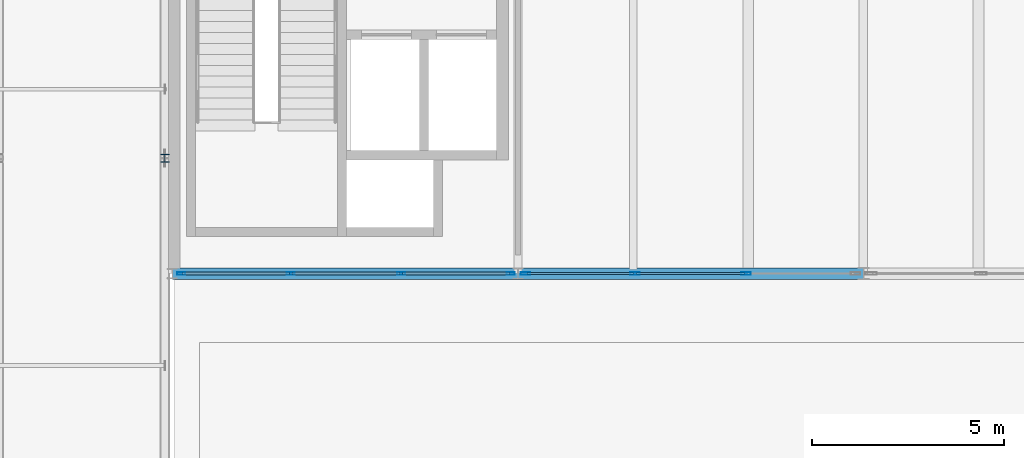
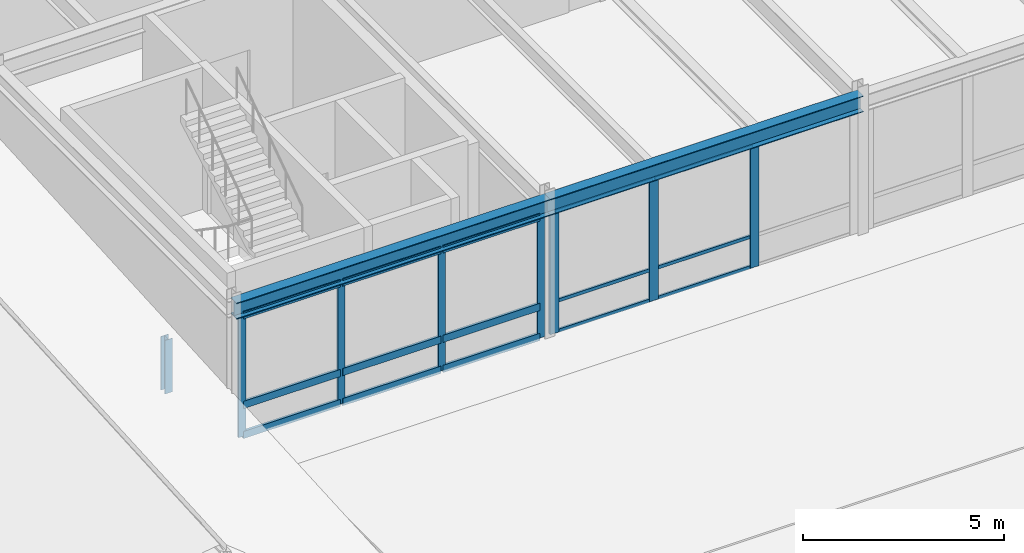
# One storey, part 72 of 142: 23 members, 2 beams, 2 elements without a shape of their own.
"""IFC4 building model written with IfcOpenShell, lengths in metres."""

from ifc_helpers import new_model, si_unit, direction, frame, origin, origin_2d, place, context, subcontext, project, spatial, hollow_rectangle, i_section, extrude, material, layer, layer_set, material_profile, profile_set, type_object, element, aggregate, save


model = new_model("IFC4")

# Units and contexts
model_context = context("Model", 3, precision=1e-05, world=origin(), true_north=direction((0.0, 1.0)))
body_context = subcontext(model_context, "Body", "Model", "MODEL_VIEW")
ifc_project = project(units=[si_unit("LENGTHUNIT", "METRE"), si_unit("AREAUNIT", "SQUARE_METRE"), si_unit("VOLUMEUNIT", "CUBIC_METRE"), si_unit("PLANEANGLEUNIT", "RADIAN"), si_unit("MASSUNIT", "GRAM", prefix="KILO")], contexts=[model_context])

# Site, building, storey
site_placement = place(None, origin())
site = spatial("IfcSite", under=ifc_project, at=site_placement, CompositionType="ELEMENT")
building_placement = place(site_placement, origin())
building = spatial("IfcBuilding", under=site, at=building_placement, Name="Montelvaro Courts of Justice", CompositionType="ELEMENT")
storey_placement = place(building_placement, frame((0.0, 0.0, 14.39990234375)))
storey = spatial("IfcBuildingStorey", under=building, at=storey_placement, Name="L03", CompositionType="ELEMENT", Elevation=14.39990234375)

# Beams
ifc_material_1 = material(Name="Steel S355", Category="steel")
ifc_material_profile_1 = material_profile(ifc_material_1, i_section(OverallWidth=0.300048828125, OverallDepth=0.489990234375, WebThickness=0.011962890625, FlangeThickness=0.02294921875, at=origin_2d()), Name="HEA 500")
ifc_profile_set_1 = profile_set([ifc_material_profile_1], Name="Steel S355")
beam_type = type_object("IfcBeamType", Name="Beam_HEA500", PredefinedType="USERDEFINED", material=ifc_profile_set_1)
for number, where, z_axis, x_axis, name in (
    (1, (99.0, 66.0, 3.955078125), (1.0, 0.0, 0.0), (0.0, 1.0, 0.0), "Beam B-19 L03"),
    (2, (108.0, 66.0, 3.955078125), (1.0, 0.0, 0.0), (0.0, 1.0, 0.0), "Beam B-19 L03"),
):
    element("IfcBeam", number, at=place(storey_placement, frame(where, z_axis=z_axis, x_axis=x_axis)), inside=storey, type_object=beam_type, Name=name, ObjectType="GIRDER", PredefinedType="USERDEFINED", context=body_context, shape_type="SweptSolid", body=[
        extrude(i_section(OverallWidth=0.300048828125, OverallDepth=0.489990234375, WebThickness=0.011962890625, FlangeThickness=0.02294921875, at=origin_2d()), origin(), (0.0, 0.0, 1.0), 9.0),
    ])

# Curtain wall, members
ifc_material_2 = material(Name="Anodised aluminium EN AW-6063", Category="aluminium")
ifc_layer_1 = layer(ifc_material_2, 0.159912109375)
ifc_layer_set_1 = layer_set([ifc_layer_1], Name="Anodised aluminium EN AW-6063")
curtain_wall_type_1 = type_object("IfcCurtainWallType", Name="CurtainWall_14_867x418", PredefinedType="USERDEFINED", material=ifc_layer_set_1)
curtain_wall_1_placement = place(storey_placement, origin())
curtain_wall_1 = element("IfcCurtainWall", 3, at=curtain_wall_1_placement, inside=storey, type_object=curtain_wall_type_1, Name="Curtain Wall CW-14 (L03)", ObjectType="CURTAIN WALL", PredefinedType="USERDEFINED")
ifc_material_profile_2 = material_profile(ifc_material_2, hollow_rectangle(XDim=0.06494140625, YDim=0.2099609375, WallThickness=0.0048828125, at=origin_2d()), Name="ALU-M 65x210")
ifc_profile_set_2 = profile_set([ifc_material_profile_2], Name="Anodised aluminium EN AW-6063")
member_type_1 = type_object("IfcMemberType", Name="CurtainWall_Mullion_65x210", PredefinedType="MULLION", material=ifc_profile_set_2)
member_1_placement = place(storey_placement, frame((99.2275390625, 66.0, 0.0), z_axis=(0.0, 0.0, 1.0), x_axis=(0.0, 1.0, 0.0)))
member_1 = element("IfcMember", 4, at=member_1_placement, type_object=member_type_1, Name="CW-14 mullion 1", PredefinedType="MULLION", context=body_context, shape_type="SweptSolid", body=[
    extrude(hollow_rectangle(XDim=0.06494140625, YDim=0.2099609375, WallThickness=0.0048828125, at=origin_2d()), origin(), (0.0, 0.0, 1.0), 3.705078125),
])
member_2_placement = place(storey_placement, frame((102.078369140625, 66.0, 0.0), z_axis=(0.0, 0.0, 1.0), x_axis=(0.0, 1.0, 0.0)))
member_2 = element("IfcMember", 5, at=member_2_placement, type_object=member_type_1, Name="CW-14 mullion 2", PredefinedType="MULLION", context=body_context, shape_type="SweptSolid", body=[
    extrude(hollow_rectangle(XDim=0.06494140625, YDim=0.2099609375, WallThickness=0.0048828125, at=origin_2d()), origin(), (0.0, 0.0, 1.0), 3.705078125),
])
member_3_placement = place(storey_placement, frame((104.961669921875, 66.0, 0.0), z_axis=(0.0, 0.0, 1.0), x_axis=(0.0, 1.0, 0.0)))
member_3 = element("IfcMember", 6, at=member_3_placement, type_object=member_type_1, Name="CW-14 mullion 3", PredefinedType="MULLION", context=body_context, shape_type="SweptSolid", body=[
    extrude(hollow_rectangle(XDim=0.06494140625, YDim=0.2099609375, WallThickness=0.0048828125, at=origin_2d()), origin(), (0.0, 0.0, 1.0), 3.705078125),
])
member_4_placement = place(storey_placement, frame((107.8125, 66.0, 0.0), z_axis=(0.0, 0.0, 1.0), x_axis=(0.0, 1.0, 0.0)))
member_4 = element("IfcMember", 7, at=member_4_placement, type_object=member_type_1, Name="CW-14 mullion 4", PredefinedType="MULLION", context=body_context, shape_type="SweptSolid", body=[
    extrude(hollow_rectangle(XDim=0.06494140625, YDim=0.2099609375, WallThickness=0.0048828125, at=origin_2d()), origin(), (0.0, 0.0, 1.0), 3.705078125),
])

ifc_layer_2 = layer(ifc_material_2, 0.159912109375)
ifc_layer_set_2 = layer_set([ifc_layer_2], Name="Anodised aluminium EN AW-6063")
curtain_wall_type_2 = type_object("IfcCurtainWallType", Name="CurtainWall_18_868x418", PredefinedType="USERDEFINED", material=ifc_layer_set_2)
curtain_wall_2_placement = place(storey_placement, origin())
curtain_wall_2 = element("IfcCurtainWall", 8, at=curtain_wall_2_placement, inside=storey, type_object=curtain_wall_type_2, Name="Curtain Wall CW-18 (L03)", ObjectType="CURTAIN WALL", PredefinedType="USERDEFINED")
ifc_material_profile_3 = material_profile(ifc_material_2, hollow_rectangle(XDim=0.074951171875, YDim=0.25, WallThickness=0.005615234375, at=origin_2d()), Name="ALU-M 75x250")
ifc_profile_set_3 = profile_set([ifc_material_profile_3], Name="Anodised aluminium EN AW-6063")
member_type_2 = type_object("IfcMemberType", Name="CurtainWall_Mullion_75x250", PredefinedType="MULLION", material=ifc_profile_set_3)
member_5_placement = place(storey_placement, frame((108.1923828125, 66.0, 0.0), z_axis=(0.0, 0.0, 1.0), x_axis=(0.0, 1.0, 0.0)))
member_5 = element("IfcMember", 9, at=member_5_placement, type_object=member_type_2, Name="CW-18 mullion 1", PredefinedType="MULLION", context=body_context, shape_type="SweptSolid", body=[
    extrude(hollow_rectangle(XDim=0.074951171875, YDim=0.25, WallThickness=0.005615234375, at=origin_2d()), origin(), (0.0, 0.0, 1.0), 3.705078125),
])
member_6_placement = place(storey_placement, frame((111.04833984375, 66.0, 0.0), z_axis=(0.0, 0.0, 1.0), x_axis=(0.0, 1.0, 0.0)))
member_6 = element("IfcMember", 10, at=member_6_placement, type_object=member_type_2, Name="CW-18 mullion 2", PredefinedType="MULLION", context=body_context, shape_type="SweptSolid", body=[
    extrude(hollow_rectangle(XDim=0.074951171875, YDim=0.25, WallThickness=0.005615234375, at=origin_2d()), origin(), (0.0, 0.0, 1.0), 3.705078125),
])
member_7_placement = place(storey_placement, frame((113.941650390625, 66.0, 0.0), z_axis=(0.0, 0.0, 1.0), x_axis=(0.0, 1.0, 0.0)))
member_7 = element("IfcMember", 11, at=member_7_placement, type_object=member_type_2, Name="CW-18 mullion 3", PredefinedType="MULLION", context=body_context, shape_type="SweptSolid", body=[
    extrude(hollow_rectangle(XDim=0.074951171875, YDim=0.25, WallThickness=0.005615234375, at=origin_2d()), origin(), (0.0, 0.0, 1.0), 3.705078125),
])
ifc_material_profile_4 = material_profile(ifc_material_2, hollow_rectangle(XDim=0.06005859375, YDim=0.10009765625, WallThickness=0.00341796875, at=origin_2d()), Name="ALU-T 60x100")
ifc_profile_set_4 = profile_set([ifc_material_profile_4], Name="Anodised aluminium EN AW-6063")
member_type_3 = type_object("IfcMemberType", Name="CurtainWall_Transom_60x100", PredefinedType="USERDEFINED", material=ifc_profile_set_4)
member_8_placement = place(storey_placement, frame((108.22998046875, 66.0, 0.030029296875), z_axis=(1.0, 0.0, 0.0), x_axis=(0.0, 1.0, 0.0)))
member_8 = element("IfcMember", 12, at=member_8_placement, type_object=member_type_3, Name="CW-18 transom 1.1", ObjectType="TRANSOM", PredefinedType="USERDEFINED", context=body_context, shape_type="SweptSolid", body=[
    extrude(hollow_rectangle(XDim=0.06005859375, YDim=0.10009765625, WallThickness=0.00341796875, at=origin_2d()), origin(), (0.0, 0.0, 1.0), 2.78076171875),
])
member_9_placement = place(storey_placement, frame((108.22998046875, 66.0, 0.9501953125), z_axis=(1.0, 0.0, 0.0), x_axis=(0.0, 1.0, 0.0)))
member_9 = element("IfcMember", 13, at=member_9_placement, type_object=member_type_3, Name="CW-18 transom 1.2", ObjectType="TRANSOM", PredefinedType="USERDEFINED", context=body_context, shape_type="SweptSolid", body=[
    extrude(hollow_rectangle(XDim=0.06005859375, YDim=0.10009765625, WallThickness=0.00341796875, at=origin_2d()), origin(), (0.0, 0.0, 1.0), 2.78076171875),
])
member_10_placement = place(storey_placement, frame((108.22998046875, 66.0, 3.675048828125), z_axis=(1.0, 0.0, 0.0), x_axis=(0.0, 1.0, 0.0)))
member_10 = element("IfcMember", 14, at=member_10_placement, type_object=member_type_3, Name="CW-18 transom 1.3", ObjectType="TRANSOM", PredefinedType="USERDEFINED", context=body_context, shape_type="SweptSolid", body=[
    extrude(hollow_rectangle(XDim=0.06005859375, YDim=0.10009765625, WallThickness=0.00341796875, at=origin_2d()), origin(), (0.0, 0.0, 1.0), 2.78076171875),
])
member_11_placement = place(storey_placement, frame((111.0859375, 66.0, 0.030029296875), z_axis=(1.0, 0.0, 0.0), x_axis=(0.0, 1.0, 0.0)))
member_11 = element("IfcMember", 15, at=member_11_placement, type_object=member_type_3, Name="CW-18 transom 2.1", ObjectType="TRANSOM", PredefinedType="USERDEFINED", context=body_context, shape_type="SweptSolid", body=[
    extrude(hollow_rectangle(XDim=0.06005859375, YDim=0.10009765625, WallThickness=0.00341796875, at=origin_2d()), origin(), (0.0, 0.0, 1.0), 2.818115234375),
])
member_12_placement = place(storey_placement, frame((111.0859375, 66.0, 0.9501953125), z_axis=(1.0, 0.0, 0.0), x_axis=(0.0, 1.0, 0.0)))
member_12 = element("IfcMember", 16, at=member_12_placement, type_object=member_type_3, Name="CW-18 transom 2.2", ObjectType="TRANSOM", PredefinedType="USERDEFINED", context=body_context, shape_type="SweptSolid", body=[
    extrude(hollow_rectangle(XDim=0.06005859375, YDim=0.10009765625, WallThickness=0.00341796875, at=origin_2d()), origin(), (0.0, 0.0, 1.0), 2.818115234375),
])
member_13_placement = place(storey_placement, frame((111.0859375, 66.0, 3.675048828125), z_axis=(1.0, 0.0, 0.0), x_axis=(0.0, 1.0, 0.0)))
member_13 = element("IfcMember", 17, at=member_13_placement, type_object=member_type_3, Name="CW-18 transom 2.3", ObjectType="TRANSOM", PredefinedType="USERDEFINED", context=body_context, shape_type="SweptSolid", body=[
    extrude(hollow_rectangle(XDim=0.06005859375, YDim=0.10009765625, WallThickness=0.00341796875, at=origin_2d()), origin(), (0.0, 0.0, 1.0), 2.818115234375),
])
aggregate(curtain_wall_2, [member_5, member_6, member_7, member_8, member_9, member_10, member_11, member_12, member_13])

# Member
ifc_material_profile_5 = material_profile(ifc_material_2, hollow_rectangle(XDim=0.074951171875, YDim=0.219970703125, WallThickness=0.005615234375, at=origin_2d()), Name="ALU-T 75x220")
ifc_profile_set_5 = profile_set([ifc_material_profile_5], Name="Anodised aluminium EN AW-6063")
member_type_4 = type_object("IfcMemberType", Name="CurtainWall_Transom_75x220", PredefinedType="USERDEFINED", material=ifc_profile_set_5)
member_14_placement = place(storey_placement, frame((99.260009765625, 66.0, 0.03759765625), z_axis=(1.0, 0.0, 0.0), x_axis=(0.0, 1.0, 0.0)))
member_14 = element("IfcMember", 18, at=member_14_placement, type_object=member_type_4, Name="CW-14 transom 1.1", ObjectType="TRANSOM", PredefinedType="USERDEFINED", context=body_context, shape_type="SweptSolid", body=[
    extrude(hollow_rectangle(XDim=0.074951171875, YDim=0.219970703125, WallThickness=0.005615234375, at=origin_2d()), origin(), (0.0, 0.0, 1.0), 2.785888671875),
])

member_15_placement = place(storey_placement, frame((99.260009765625, 66.0, 0.9501953125), z_axis=(1.0, 0.0, 0.0), x_axis=(0.0, 1.0, 0.0)))
member_15 = element("IfcMember", 19, at=member_15_placement, type_object=member_type_4, Name="CW-14 transom 1.2", ObjectType="TRANSOM", PredefinedType="USERDEFINED", context=body_context, shape_type="SweptSolid", body=[
    extrude(hollow_rectangle(XDim=0.074951171875, YDim=0.219970703125, WallThickness=0.005615234375, at=origin_2d()), origin(), (0.0, 0.0, 1.0), 2.785888671875),
])

member_16_placement = place(storey_placement, frame((99.260009765625, 66.0, 3.66748046875), z_axis=(1.0, 0.0, 0.0), x_axis=(0.0, 1.0, 0.0)))
member_16 = element("IfcMember", 20, at=member_16_placement, type_object=member_type_4, Name="CW-14 transom 1.3", ObjectType="TRANSOM", PredefinedType="USERDEFINED", context=body_context, shape_type="SweptSolid", body=[
    extrude(hollow_rectangle(XDim=0.074951171875, YDim=0.219970703125, WallThickness=0.005615234375, at=origin_2d()), origin(), (0.0, 0.0, 1.0), 2.785888671875),
])

member_17_placement = place(storey_placement, frame((102.11083984375, 66.0, 0.03759765625), z_axis=(1.0, 0.0, 0.0), x_axis=(0.0, 1.0, 0.0)))
member_17 = element("IfcMember", 21, at=member_17_placement, type_object=member_type_4, Name="CW-14 transom 2.1", ObjectType="TRANSOM", PredefinedType="USERDEFINED", context=body_context, shape_type="SweptSolid", body=[
    extrude(hollow_rectangle(XDim=0.074951171875, YDim=0.219970703125, WallThickness=0.005615234375, at=origin_2d()), origin(), (0.0, 0.0, 1.0), 2.818359375),
])

member_18_placement = place(storey_placement, frame((102.11083984375, 66.0, 0.9501953125), z_axis=(1.0, 0.0, 0.0), x_axis=(0.0, 1.0, 0.0)))
member_18 = element("IfcMember", 22, at=member_18_placement, type_object=member_type_4, Name="CW-14 transom 2.2", ObjectType="TRANSOM", PredefinedType="USERDEFINED", context=body_context, shape_type="SweptSolid", body=[
    extrude(hollow_rectangle(XDim=0.074951171875, YDim=0.219970703125, WallThickness=0.005615234375, at=origin_2d()), origin(), (0.0, 0.0, 1.0), 2.818359375),
])

member_19_placement = place(storey_placement, frame((102.11083984375, 66.0, 3.66748046875), z_axis=(1.0, 0.0, 0.0), x_axis=(0.0, 1.0, 0.0)))
member_19 = element("IfcMember", 23, at=member_19_placement, type_object=member_type_4, Name="CW-14 transom 2.3", ObjectType="TRANSOM", PredefinedType="USERDEFINED", context=body_context, shape_type="SweptSolid", body=[
    extrude(hollow_rectangle(XDim=0.074951171875, YDim=0.219970703125, WallThickness=0.005615234375, at=origin_2d()), origin(), (0.0, 0.0, 1.0), 2.818359375),
])

member_20_placement = place(storey_placement, frame((104.994140625, 66.0, 0.03759765625), z_axis=(1.0, 0.0, 0.0), x_axis=(0.0, 1.0, 0.0)))
member_20 = element("IfcMember", 24, at=member_20_placement, type_object=member_type_4, Name="CW-14 transom 3.1", ObjectType="TRANSOM", PredefinedType="USERDEFINED", context=body_context, shape_type="SweptSolid", body=[
    extrude(hollow_rectangle(XDim=0.074951171875, YDim=0.219970703125, WallThickness=0.005615234375, at=origin_2d()), origin(), (0.0, 0.0, 1.0), 2.785888671875),
])

member_21_placement = place(storey_placement, frame((104.994140625, 66.0, 0.9501953125), z_axis=(1.0, 0.0, 0.0), x_axis=(0.0, 1.0, 0.0)))
member_21 = element("IfcMember", 25, at=member_21_placement, type_object=member_type_4, Name="CW-14 transom 3.2", ObjectType="TRANSOM", PredefinedType="USERDEFINED", context=body_context, shape_type="SweptSolid", body=[
    extrude(hollow_rectangle(XDim=0.074951171875, YDim=0.219970703125, WallThickness=0.005615234375, at=origin_2d()), origin(), (0.0, 0.0, 1.0), 2.785888671875),
])

member_22_placement = place(storey_placement, frame((104.994140625, 66.0, 3.66748046875), z_axis=(1.0, 0.0, 0.0), x_axis=(0.0, 1.0, 0.0)))
member_22 = element("IfcMember", 26, at=member_22_placement, type_object=member_type_4, Name="CW-14 transom 3.3", ObjectType="TRANSOM", PredefinedType="USERDEFINED", context=body_context, shape_type="SweptSolid", body=[
    extrude(hollow_rectangle(XDim=0.074951171875, YDim=0.219970703125, WallThickness=0.005615234375, at=origin_2d()), origin(), (0.0, 0.0, 1.0), 2.785888671875),
])

aggregate(curtain_wall_1, [member_1, member_2, member_3, member_4, member_14, member_15, member_16, member_17, member_18, member_19, member_20, member_21, member_22])

ifc_material_profile_6 = material_profile(ifc_material_1, i_section(OverallWidth=0.219970703125, OverallDepth=0.2099609375, WebThickness=0.007080078125, FlangeThickness=0.010986328125, at=origin_2d()), Name="HEA 220")
ifc_profile_set_6 = profile_set([ifc_material_profile_6], Name="Steel S355")
member_type_5 = type_object("IfcMemberType", Name="Mem_HEA220_Post", PredefinedType="POST", material=ifc_profile_set_6)
member_23_placement = place(storey_placement, frame((98.800048828125, 69.0, -0.2998046875), z_axis=(0.0, 0.0, 1.0), x_axis=(1.0, 0.0, 0.0)))
element("IfcMember", 27, at=member_23_placement, inside=storey, type_object=member_type_5, Name="Roof Truss Post MP-03 ROOF-PASSAGE-VTR06-V3", PredefinedType="POST", context=body_context, shape_type="SweptSolid", body=[
    extrude(i_section(OverallWidth=0.219970703125, OverallDepth=0.2099609375, WebThickness=0.007080078125, FlangeThickness=0.010986328125, at=origin_2d()), origin(), (0.0, 0.0, 1.0), 1.6298828125),
])

save(model, "model.ifc")
